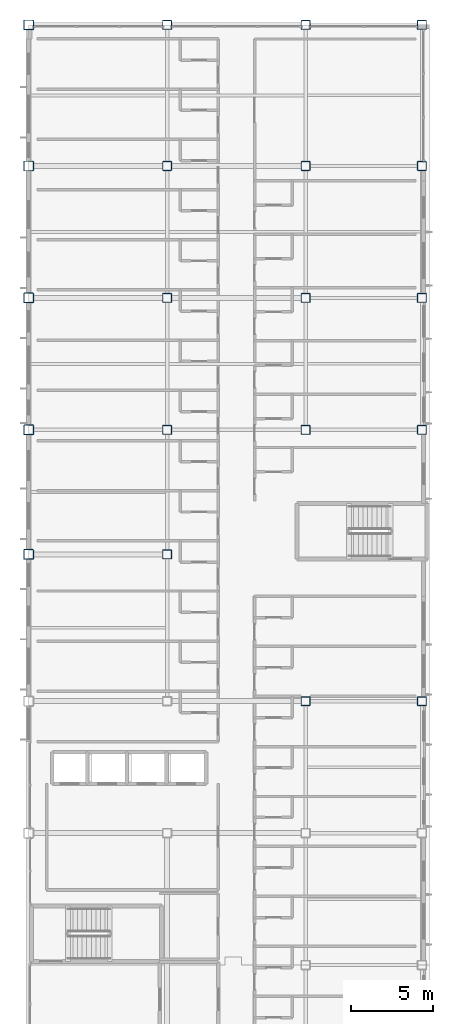
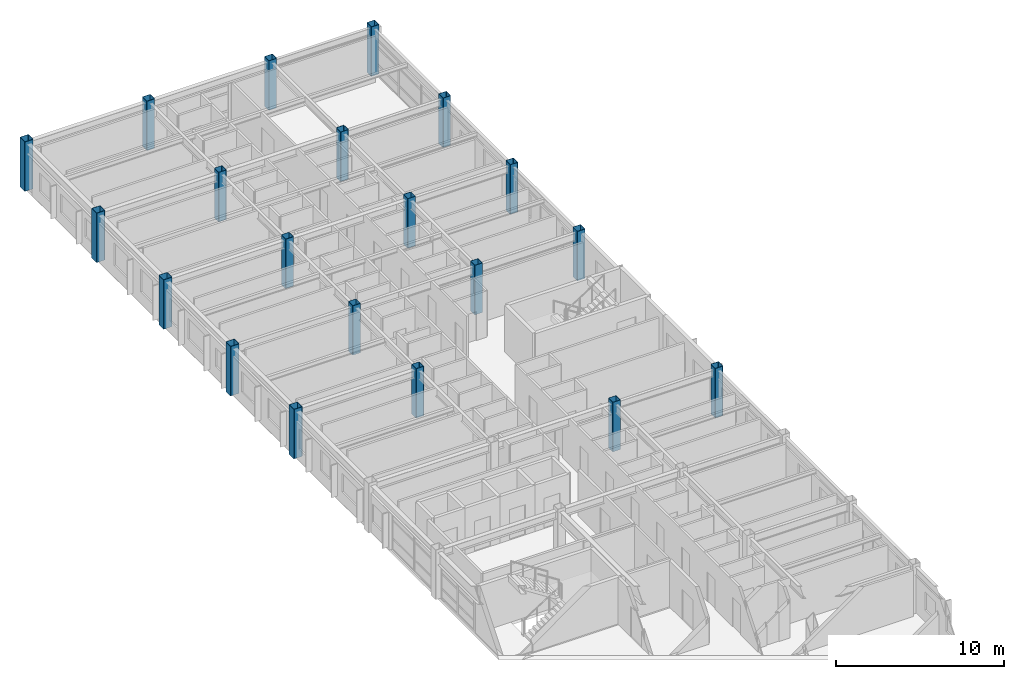
# One storey, part 2 of 38: 20 columns.
"""IFC4 building model written with IfcOpenShell, lengths in metres."""

from ifc_helpers import new_model, si_unit, direction, frame, origin, origin_2d, place, context, subcontext, project, spatial, hollow_rectangle, extrude, material, material_profile, profile_set, type_object, element, save


model = new_model("IFC4")

# Units and contexts
model_context = context("Model", 3, precision=1e-05, world=origin(), true_north=direction((0.0, 1.0)))
body_context = subcontext(model_context, "Body", "Model", "MODEL_VIEW")
ifc_project = project(units=[si_unit("LENGTHUNIT", "METRE"), si_unit("AREAUNIT", "SQUARE_METRE"), si_unit("VOLUMEUNIT", "CUBIC_METRE"), si_unit("PLANEANGLEUNIT", "RADIAN"), si_unit("MASSUNIT", "GRAM", prefix="KILO")], contexts=[model_context])

# Site, building, storey
site_placement = place(None, origin())
site = spatial("IfcSite", under=ifc_project, at=site_placement, CompositionType="ELEMENT")
building_placement = place(site_placement, origin())
building = spatial("IfcBuilding", under=site, at=building_placement, Name="Kazehara Bluff Congress Hotel", CompositionType="ELEMENT")
storey_placement = place(building_placement, frame((0.0, 0.0, 24.60009765625)))
storey = spatial("IfcBuildingStorey", under=building, at=storey_placement, Name="L05", CompositionType="ELEMENT", Elevation=24.60009765625)

# Columns
ifc_material_1 = material(Name="Steel BCR295", Category="steel")
ifc_material_profile_1 = material_profile(ifc_material_1, hollow_rectangle(XDim=0.60009765625, YDim=0.60009765625, WallThickness=0.02490234375, InnerFilletRadius=0.02490234375, OuterFilletRadius=0.050048828125, at=origin_2d()))
ifc_profile_set_1 = profile_set([ifc_material_profile_1], Name="Steel BCR295")
column_type_1 = type_object("IfcColumnType", Name="TP-C-05", PredefinedType="COLUMN", material=ifc_profile_set_1)
for number, where, z_axis, x_axis, name in (
    (1, (143.699951171875, 73.35009765625, 0.0), (0.0, 0.0, 1.0), (1.0, 0.0, 0.0), "L05 column C-05 (143.70,73.35)"),
    (2, (143.699951171875, 80.89990234375, 0.0), (0.0, 0.0, 1.0), (1.0, 0.0, 0.0), "L05 column C-05 (143.70,80.90)"),
    (3, (143.699951171875, 88.89990234375, 0.0), (0.0, 0.0, 1.0), (1.0, 0.0, 0.0), "L05 column C-05 (143.70,88.90)"),
    (4, (143.699951171875, 96.89990234375, 0.0), (0.0, 0.0, 1.0), (1.0, 0.0, 0.0), "L05 column C-05 (143.70,96.90)"),
    (5, (143.699951171875, 105.449951171875, 0.0), (0.0, 0.0, 1.0), (1.0, 0.0, 0.0), "L05 column C-05 (143.70,105.45)"),
):
    element("IfcColumn", number, at=place(storey_placement, frame(where, z_axis=z_axis, x_axis=x_axis)), inside=storey, type_object=column_type_1, Name=name, PredefinedType="COLUMN", context=body_context, shape_type="SweptSolid", body=[
        extrude(hollow_rectangle(XDim=0.60009765625, YDim=0.60009765625, WallThickness=0.02490234375, InnerFilletRadius=0.02490234375, OuterFilletRadius=0.050048828125, at=origin_2d()), origin(), (0.0, 0.0, 1.0), 3.599853515625),
    ])
ifc_material_2 = material(Name="Steel BCR295", Category="steel")
ifc_material_profile_2 = material_profile(ifc_material_2, hollow_rectangle(XDim=0.550048828125, YDim=0.550048828125, WallThickness=0.02197265625, InnerFilletRadius=0.02197265625, OuterFilletRadius=0.0439453125, at=origin_2d()))
ifc_profile_set_2 = profile_set([ifc_material_profile_2], Name="Steel BCR295")
column_type_2 = type_object("IfcColumnType", Name="TP-C-06", PredefinedType="COLUMN", material=ifc_profile_set_2)
for number, where, z_axis, x_axis, name in (
    (6, (152.10009765625, 73.35009765625, 0.0), (0.0, 0.0, 1.0), (1.0, 0.0, 0.0), "L05 column C-06 (152.10,73.35)"),
    (7, (152.10009765625, 80.89990234375, 0.0), (0.0, 0.0, 1.0), (1.0, 0.0, 0.0), "L05 column C-06 (152.10,80.90)"),
    (8, (152.10009765625, 88.89990234375, 0.0), (0.0, 0.0, 1.0), (1.0, 0.0, 0.0), "L05 column C-06 (152.10,88.90)"),
    (9, (152.10009765625, 96.89990234375, 0.0), (0.0, 0.0, 1.0), (1.0, 0.0, 0.0), "L05 column C-06 (152.10,96.90)"),
    (10, (152.10009765625, 105.449951171875, 0.0), (0.0, 0.0, 1.0), (1.0, 0.0, 0.0), "L05 column C-06 (152.10,105.45)"),
    (11, (160.5, 64.449951171875, 0.0), (0.0, 0.0, 1.0), (1.0, 0.0, 0.0), "L05 column C-06 (160.50,64.45)"),
    (12, (160.5, 80.89990234375, 0.0), (0.0, 0.0, 1.0), (1.0, 0.0, 0.0), "L05 column C-06 (160.50,80.90)"),
    (13, (160.5, 88.89990234375, 0.0), (0.0, 0.0, 1.0), (1.0, 0.0, 0.0), "L05 column C-06 (160.50,88.90)"),
    (14, (160.5, 96.89990234375, 0.0), (0.0, 0.0, 1.0), (1.0, 0.0, 0.0), "L05 column C-06 (160.50,96.90)"),
    (15, (160.5, 105.449951171875, 0.0), (0.0, 0.0, 1.0), (1.0, 0.0, 0.0), "L05 column C-06 (160.50,105.45)"),
    (16, (167.550048828125, 64.449951171875, 0.0), (0.0, 0.0, 1.0), (1.0, 0.0, 0.0), "L05 column C-06 (167.55,64.45)"),
    (17, (167.550048828125, 80.89990234375, 0.0), (0.0, 0.0, 1.0), (1.0, 0.0, 0.0), "L05 column C-06 (167.55,80.90)"),
    (18, (167.550048828125, 88.89990234375, 0.0), (0.0, 0.0, 1.0), (1.0, 0.0, 0.0), "L05 column C-06 (167.55,88.90)"),
    (19, (167.550048828125, 96.89990234375, 0.0), (0.0, 0.0, 1.0), (1.0, 0.0, 0.0), "L05 column C-06 (167.55,96.90)"),
    (20, (167.550048828125, 105.449951171875, 0.0), (0.0, 0.0, 1.0), (1.0, 0.0, 0.0), "L05 column C-06 (167.55,105.45)"),
):
    element("IfcColumn", number, at=place(storey_placement, frame(where, z_axis=z_axis, x_axis=x_axis)), inside=storey, type_object=column_type_2, Name=name, PredefinedType="COLUMN", context=body_context, shape_type="SweptSolid", body=[
        extrude(hollow_rectangle(XDim=0.550048828125, YDim=0.550048828125, WallThickness=0.02197265625, InnerFilletRadius=0.02197265625, OuterFilletRadius=0.0439453125, at=origin_2d()), origin(), (0.0, 0.0, 1.0), 3.599853515625),
    ])

save(model, "model.ifc")
